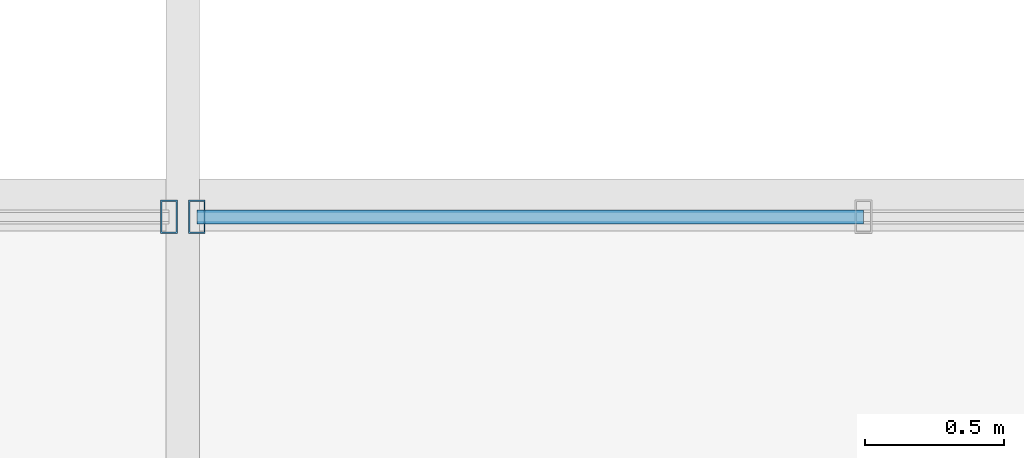
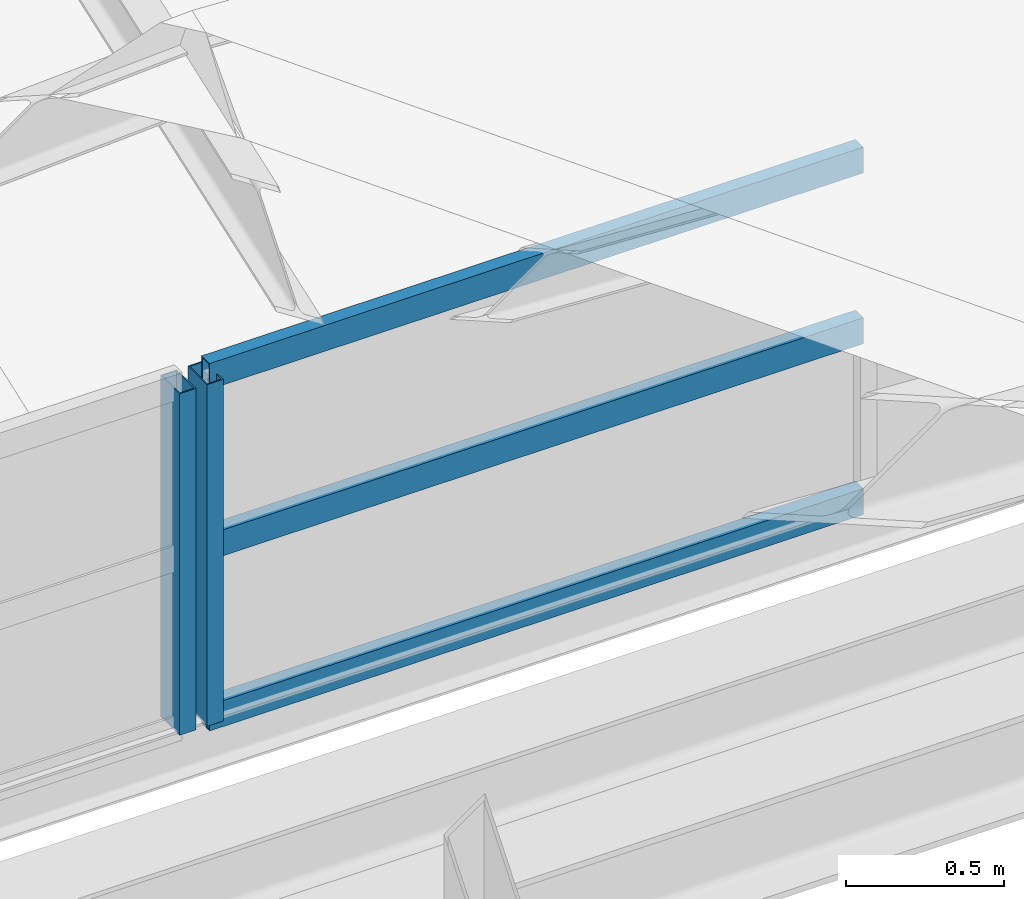
# One storey, part 14 of 141: 5 members, 2 elements without a shape of their own.
"""IFC4 building model written with IfcOpenShell, lengths in metres."""

from ifc_helpers import new_model, si_unit, direction, frame, origin, origin_2d, place, context, subcontext, project, spatial, hollow_rectangle, extrude, material, material_profile, profile_set, type_object, element, aggregate, save


model = new_model("IFC4")

# Units and contexts
model_context = context("Model", 3, precision=1e-05, world=origin(), true_north=direction((0.0, 1.0)))
body_context = subcontext(model_context, "Body", "Model", "MODEL_VIEW")
ifc_project = project(units=[si_unit("LENGTHUNIT", "METRE"), si_unit("AREAUNIT", "SQUARE_METRE"), si_unit("VOLUMEUNIT", "CUBIC_METRE"), si_unit("PLANEANGLEUNIT", "RADIAN"), si_unit("MASSUNIT", "GRAM", prefix="KILO")], contexts=[model_context])

# Site, building, storey
site_placement = place(None, origin())
site = spatial("IfcSite", under=ifc_project, at=site_placement, CompositionType="ELEMENT")
building_placement = place(site_placement, origin())
building = spatial("IfcBuilding", under=site, at=building_placement, Name="Sundkrona Museum", CompositionType="ELEMENT")
storey_placement = place(building_placement, frame((0.0, 0.0, 34.0)))
storey = spatial("IfcBuildingStorey", under=building, at=storey_placement, Name="RF", CompositionType="ELEMENT", Elevation=34.0)

# Curtain wall, member
ifc_material_1 = material(Name="Unitised Aluminium-Steel and Ceramic-Clad Curtain Walling", Category="steel")
curtain_wall_type = type_object("IfcCurtainWallType", Name="CW-SW-240x13", PredefinedType="NOTDEFINED", material=ifc_material_1)
curtain_wall_1_placement = place(storey_placement, origin())
curtain_wall_1 = element("IfcCurtainWall", 1, at=curtain_wall_1_placement, inside=storey, type_object=curtain_wall_type, Name="Sawtooth Bay 1 West North-Light Clerestory", PredefinedType="NOTDEFINED")
ifc_material_2 = material(Name="Aluminium EN AW-6060 T66", Category="aluminium")
ifc_material_profile_1 = material_profile(ifc_material_2, hollow_rectangle(XDim=0.06005859375, YDim=0.1201171875, WallThickness=0.0048828125, at=origin_2d()), Name="RHS 120x60x5.0")
ifc_profile_set_1 = profile_set([ifc_material_profile_1], Name="Aluminium EN AW-6060 T66")
member_type_1 = type_object("IfcMemberType", Name="ML-120", PredefinedType="MULLION", material=ifc_profile_set_1)
member_1_placement = place(storey_placement, frame((143.949951171875, 2.199951171875, 2.212890625), z_axis=(0.0, 0.0, 1.0), x_axis=(1.0, 0.0, 0.0)))
member_1 = element("IfcMember", 2, at=member_1_placement, type_object=member_type_1, Name="CW-RF-SAW-01W Mullion 11", PredefinedType="MULLION", context=body_context, shape_type="SweptSolid", body=[
    extrude(hollow_rectangle(XDim=0.06005859375, YDim=0.1201171875, WallThickness=0.0048828125, at=origin_2d()), origin(), (0.0, 0.0, 1.0), 1.320068359375),
])
aggregate(curtain_wall_1, [member_1])

# Curtain wall, members
curtain_wall_2_placement = place(storey_placement, origin())
curtain_wall_2 = element("IfcCurtainWall", 3, at=curtain_wall_2_placement, inside=storey, type_object=curtain_wall_type, Name="Sawtooth Bay 1 East North-Light Clerestory", PredefinedType="NOTDEFINED")
member_2_placement = place(storey_placement, frame((144.050048828125, 2.199951171875, 2.212890625), z_axis=(0.0, 0.0, 1.0), x_axis=(1.0, 0.0, 0.0)))
member_2 = element("IfcMember", 4, at=member_2_placement, type_object=member_type_1, Name="CW-RF-SAW-01E Mullion 01", PredefinedType="MULLION", context=body_context, shape_type="SweptSolid", body=[
    extrude(hollow_rectangle(XDim=0.06005859375, YDim=0.1201171875, WallThickness=0.0048828125, at=origin_2d()), origin(), (0.0, 0.0, 1.0), 1.320068359375),
])
ifc_material_profile_2 = material_profile(ifc_material_2, hollow_rectangle(XDim=0.050048828125, YDim=0.10009765625, WallThickness=0.0048828125, at=origin_2d()), Name="RHS 100x50x5.0")
ifc_profile_set_2 = profile_set([ifc_material_profile_2], Name="Aluminium EN AW-6060 T66")
member_type_2 = type_object("IfcMemberType", Name="TR-100", PredefinedType="USERDEFINED", material=ifc_profile_set_2)
member_3_placement = place(storey_placement, frame((144.050048828125, 2.199951171875, 2.212890625), z_axis=(1.0, 0.0, 0.0), x_axis=(0.0, 1.0, 0.0)))
member_3 = element("IfcMember", 5, at=member_3_placement, type_object=member_type_2, Name="CW-RF-SAW-01E Transom 01", ObjectType="TRANSOM", PredefinedType="USERDEFINED", context=body_context, shape_type="SweptSolid", body=[
    extrude(hollow_rectangle(XDim=0.050048828125, YDim=0.10009765625, WallThickness=0.0048828125, at=origin_2d()), origin(), (0.0, 0.0, 1.0), 2.389892578125),
])
member_4_placement = place(storey_placement, frame((144.050048828125, 2.199951171875, 2.873046875), z_axis=(1.0, 0.0, 0.0), x_axis=(0.0, 1.0, 0.0)))
member_4 = element("IfcMember", 6, at=member_4_placement, type_object=member_type_2, Name="CW-RF-SAW-01E Transom 02", ObjectType="TRANSOM", PredefinedType="USERDEFINED", context=body_context, shape_type="SweptSolid", body=[
    extrude(hollow_rectangle(XDim=0.050048828125, YDim=0.10009765625, WallThickness=0.0048828125, at=origin_2d()), origin(), (0.0, 0.0, 1.0), 2.389892578125),
])
member_5_placement = place(storey_placement, frame((144.050048828125, 2.199951171875, 3.532958984375), z_axis=(1.0, 0.0, 0.0), x_axis=(0.0, 1.0, 0.0)))
member_5 = element("IfcMember", 7, at=member_5_placement, type_object=member_type_2, Name="CW-RF-SAW-01E Transom 03", ObjectType="TRANSOM", PredefinedType="USERDEFINED", context=body_context, shape_type="SweptSolid", body=[
    extrude(hollow_rectangle(XDim=0.050048828125, YDim=0.10009765625, WallThickness=0.0048828125, at=origin_2d()), origin(), (0.0, 0.0, 1.0), 2.389892578125),
])
aggregate(curtain_wall_2, [member_2, member_3, member_4, member_5])

save(model, "model.ifc")
